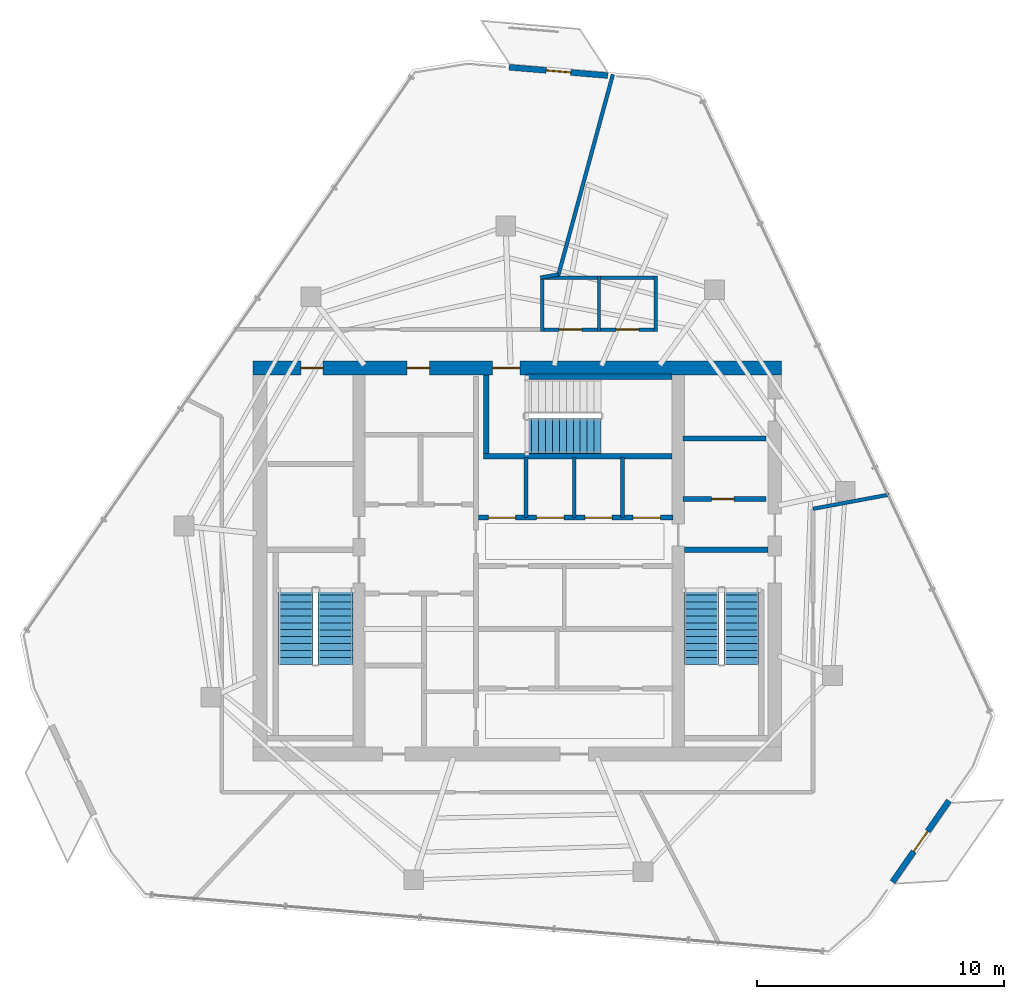
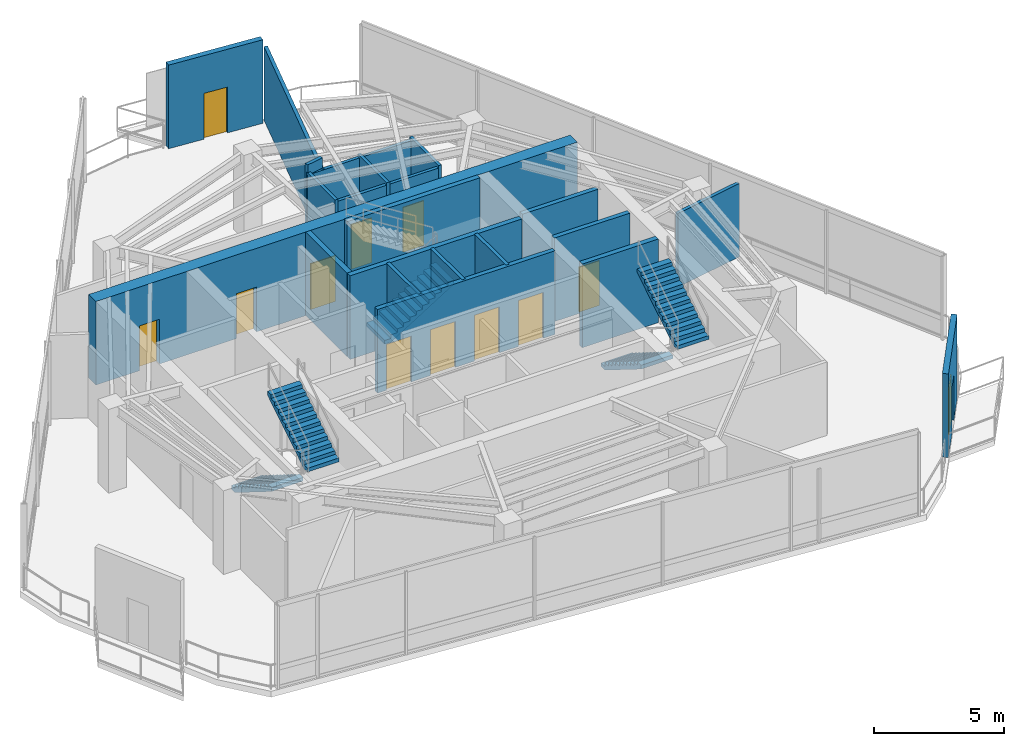
# One storey, part 16 of 19: 23 walls, 12 doors, 5 stair flights, 12 openings, 3 elements without a shape of their own.
"""IFC4 building model written with IfcOpenShell, lengths in metres."""

from ifc_helpers import new_model, si_unit, direction, frame, frame_2d, origin, place, context, subcontext, project, spatial, polyline, rectangle, outline, extrude, material, layer, layer_set, type_object, element, fill, aggregate, save


model = new_model("IFC4")

# Units and contexts
model_context = context("Model", 3, precision=1e-05, world=origin(), true_north=direction((0.0, 1.0)))
body_context = subcontext(model_context, "Body", "Model", "MODEL_VIEW")
ifc_project = project(units=[si_unit("LENGTHUNIT", "METRE"), si_unit("AREAUNIT", "SQUARE_METRE"), si_unit("VOLUMEUNIT", "CUBIC_METRE"), si_unit("PLANEANGLEUNIT", "RADIAN"), si_unit("MASSUNIT", "GRAM", prefix="KILO")], contexts=[model_context])

# Site, building, storey
site_placement = place(None, origin())
site = spatial("IfcSite", under=ifc_project, at=site_placement, CompositionType="ELEMENT")
building_placement = place(site_placement, origin())
building = spatial("IfcBuilding", under=site, at=building_placement, Name="Qarnah Convention Tower", CompositionType="ELEMENT")
storey_placement = place(building_placement, frame((0.0, 0.0, 275.10009765625)))
storey = spatial("IfcBuildingStorey", under=building, at=storey_placement, Name="L74", CompositionType="ELEMENT", Elevation=275.10009765625)

# Wall, openings, doors
ifc_material_1 = material(Name="Concrete C60/75", Category="concrete")
ifc_layer_1 = layer(ifc_material_1, 0.550048828125)
ifc_layer_set_1 = layer_set([ifc_layer_1], Name="Concrete C60/75")
wall_type_1 = type_object("IfcWallType", Name="WL-CORE-550", PredefinedType="SHEAR", material=ifc_layer_set_1)
wall_1_placement = place(storey_placement, frame((26.52490234375, 34.199951171875, 0.0), z_axis=(0.0, 0.0, 1.0), x_axis=(1.0, 0.0, 0.0)))
wall_1 = element("IfcWall", 1, at=wall_1_placement, inside=storey, type_object=wall_type_1, Name="L74 core north shear wall", PredefinedType="SHEAR", context=body_context, shape_type="SweptSolid", body=[
    extrude(rectangle(XDim=21.35009765625, YDim=0.550048828125, at=frame_2d((10.675048828125, 0.0))), origin(), (0.0, 0.0, 1.0), 3.919921875),
])
opening_1_placement = place(wall_1_placement, frame((9.675048828125, 0.0, 0.0)))
opening_1 = element("IfcOpeningElement", 2, at=opening_1_placement, cuts=wall_1, Name="Opening D-7403", PredefinedType="OPENING", context=body_context, shape_type="SweptSolid", body=[
    extrude(rectangle(XDim=1.10009765625, YDim=2.14990234375, at=frame_2d((0.550048828125, 1.074951171875))), frame((0.0, 0.284912109375, 0.0), z_axis=(0.0, -1.0, 0.0), x_axis=(1.0, 0.0, 0.0)), (0.0, 0.0, 1.0), 0.570068359375),
])
opening_2_placement = place(wall_1_placement, frame((1.925048828125, 0.0, 0.0)))
opening_2 = element("IfcOpeningElement", 3, at=opening_2_placement, cuts=wall_1, Name="Opening D-7409", PredefinedType="OPENING", context=body_context, shape_type="SweptSolid", body=[
    extrude(rectangle(XDim=0.89990234375, YDim=2.10009765625, at=frame_2d((0.449951171875, 1.050048828125))), frame((0.0, 0.284912109375, 0.0), z_axis=(0.0, -1.0, 0.0), x_axis=(1.0, 0.0, 0.0)), (0.0, 0.0, 1.0), 0.570068359375),
])
opening_3_placement = place(wall_1_placement, frame((6.22509765625, 0.0, 0.0)))
opening_3 = element("IfcOpeningElement", 4, at=opening_3_placement, cuts=wall_1, Name="Opening D-7410", PredefinedType="OPENING", context=body_context, shape_type="SweptSolid", body=[
    extrude(rectangle(XDim=0.89990234375, YDim=2.10009765625, at=frame_2d((0.449951171875, 1.050048828125))), frame((0.0, 0.284912109375, 0.0), z_axis=(0.0, -1.0, 0.0), x_axis=(1.0, 0.0, 0.0)), (0.0, 0.0, 1.0), 0.570068359375),
])
ifc_material_2 = material(Name="Structural steel S355JR", Category="steel")
door_type_1 = type_object("IfcDoorType", Name="DT-RISER-900", OperationType="NOTDEFINED", PredefinedType="DOOR", material=ifc_material_2)
door_1_placement = place(opening_2_placement, origin())
door_1 = element("IfcDoor", 5, at=door_1_placement, inside=storey, type_object=door_type_1, Name="Door D-7409", OperationType="SINGLE_SWING_LEFT", OverallHeight=2.10009765625, OverallWidth=0.89990234375, PredefinedType="DOOR", context=body_context, shape_type="SweptSolid", body=[
    extrude(rectangle(XDim=0.89990234375, YDim=2.10009765625, at=frame_2d((0.449951171875, 1.050048828125))), frame((0.0, 0.02490234375, 0.0), z_axis=(0.0, -1.0, 0.0), x_axis=(1.0, 0.0, 0.0)), (0.0, 0.0, 1.0), 0.050048828125),
])
fill(opening_2, door_1)
door_2_placement = place(opening_3_placement, origin())
door_2 = element("IfcDoor", 6, at=door_2_placement, inside=storey, type_object=door_type_1, Name="Door D-7410", OperationType="SINGLE_SWING_RIGHT", OverallHeight=2.10009765625, OverallWidth=0.89990234375, PredefinedType="DOOR", context=body_context, shape_type="SweptSolid", body=[
    extrude(rectangle(XDim=0.89990234375, YDim=2.10009765625, at=frame_2d((0.449951171875, 1.050048828125))), frame((0.0, 0.02490234375, 0.0), z_axis=(0.0, -1.0, 0.0), x_axis=(1.0, 0.0, 0.0)), (0.0, 0.0, 1.0), 0.050048828125),
])
fill(opening_3, door_2)
door_type_2 = type_object("IfcDoorType", Name="DT-STAIR-1100", OperationType="NOTDEFINED", PredefinedType="DOOR", material=ifc_material_2)
door_3_placement = place(opening_1_placement, origin())
door_3 = element("IfcDoor", 7, at=door_3_placement, inside=storey, type_object=door_type_2, Name="Door D-7403", OperationType="SINGLE_SWING_LEFT", OverallHeight=2.14990234375, OverallWidth=1.10009765625, PredefinedType="DOOR", context=body_context, shape_type="SweptSolid", body=[
    extrude(rectangle(XDim=1.10009765625, YDim=2.14990234375, at=frame_2d((0.550048828125, 1.074951171875))), frame((0.0, 0.02490234375, 0.0), z_axis=(0.0, -1.0, 0.0), x_axis=(1.0, 0.0, 0.0)), (0.0, 0.0, 1.0), 0.050048828125),
])
fill(opening_1, door_3)

# Wall, opening, door
ifc_material_3 = material(Name="Concrete C45/55", Category="concrete")
ifc_layer_2 = layer(ifc_material_3, 0.199951171875)
ifc_layer_set_2 = layer_set([ifc_layer_2], Name="Concrete C45/55")
wall_type_2 = type_object("IfcWallType", Name="WL-CORE-PART-200", PredefinedType="SOLIDWALL", material=ifc_layer_set_2)
wall_2_placement = place(storey_placement, frame((43.89990234375, 28.89990234375, 0.0), z_axis=(0.0, 0.0, 1.0), x_axis=(1.0, 0.0, 0.0)))
wall_2 = element("IfcWall", 8, at=wall_2_placement, inside=storey, type_object=wall_type_2, Name="L74 interior wall IW-L74-EVSTN", PredefinedType="SOLIDWALL", context=body_context, shape_type="SweptSolid", body=[
    extrude(rectangle(XDim=3.35009765625, YDim=0.199951171875, at=frame_2d((1.675048828125, 0.0))), origin(), (0.0, 0.0, 1.0), 3.919921875),
])
opening_4_placement = place(wall_2_placement, frame((1.14990234375, 0.0, 0.0)))
opening_4 = element("IfcOpeningElement", 9, at=opening_4_placement, cuts=wall_2, Name="Opening D-7411", PredefinedType="OPENING", context=body_context, shape_type="SweptSolid", body=[
    extrude(rectangle(XDim=0.89990234375, YDim=2.10009765625, at=frame_2d((0.449951171875, 1.050048828125))), frame((0.0, 0.10986328125, 0.0), z_axis=(0.0, -1.0, 0.0), x_axis=(1.0, 0.0, 0.0)), (0.0, 0.0, 1.0), 0.219970703125),
])
door_4_placement = place(opening_4_placement, origin())
door_4 = element("IfcDoor", 10, at=door_4_placement, inside=storey, type_object=door_type_1, Name="Door D-7411", OperationType="SINGLE_SWING_LEFT", OverallHeight=2.10009765625, OverallWidth=0.89990234375, PredefinedType="DOOR", context=body_context, shape_type="SweptSolid", body=[
    extrude(rectangle(XDim=0.89990234375, YDim=2.10009765625, at=frame_2d((0.449951171875, 1.050048828125))), frame((0.0, 0.02490234375, 0.0), z_axis=(0.0, -1.0, 0.0), x_axis=(1.0, 0.0, 0.0)), (0.0, 0.0, 1.0), 0.050048828125),
])
fill(opening_4, door_4)

# Wall
wall_3_placement = place(storey_placement, frame((43.89990234375, 31.35009765625, 0.0), z_axis=(0.0, 0.0, 1.0), x_axis=(1.0, 0.0, 0.0)))
element("IfcWall", 11, at=wall_3_placement, inside=storey, type_object=wall_type_2, Name="L74 interior wall IW-L74-WTRN", PredefinedType="SOLIDWALL", context=body_context, shape_type="SweptSolid", body=[
    extrude(rectangle(XDim=3.35009765625, YDim=0.199951171875, at=frame_2d((1.675048828125, 0.0))), origin(), (0.0, 0.0, 1.0), 3.548828125),
])

# Wall, openings, doors
wall_4_placement = place(storey_placement, frame((35.6201171875, 28.14990234375, 0.0), z_axis=(0.0, 0.0, 1.0), x_axis=(1.0, 0.0, 0.0)))
wall_4 = element("IfcWall", 12, at=wall_4_placement, inside=storey, type_object=wall_type_2, Name="L74 interior wall IW-L74-PHS", PredefinedType="SOLIDWALL", context=body_context, shape_type="SweptSolid", body=[
    extrude(rectangle(XDim=7.8798828125, YDim=0.199951171875, at=frame_2d((3.93994140625, 0.0))), origin(), (0.0, 0.0, 1.0), 3.919921875),
])
opening_5_placement = place(wall_4_placement, frame((0.405029296875, 0.0, 0.0)))
opening_5 = element("IfcOpeningElement", 13, at=opening_5_placement, cuts=wall_4, Name="Opening LD-7404", PredefinedType="OPENING", context=body_context, shape_type="SweptSolid", body=[
    extrude(rectangle(XDim=1.10009765625, YDim=2.14990234375, at=frame_2d((0.550048828125, 1.074951171875))), frame((0.0, 0.10986328125, 0.0), z_axis=(0.0, -1.0, 0.0), x_axis=(1.0, 0.0, 0.0)), (0.0, 0.0, 1.0), 0.219970703125),
])
opening_6_placement = place(wall_4_placement, frame((2.35498046875, 0.0, 0.0)))
opening_6 = element("IfcOpeningElement", 14, at=opening_6_placement, cuts=wall_4, Name="Opening LD-7405", PredefinedType="OPENING", context=body_context, shape_type="SweptSolid", body=[
    extrude(rectangle(XDim=1.10009765625, YDim=2.14990234375, at=frame_2d((0.550048828125, 1.074951171875))), frame((0.0, 0.10986328125, 0.0), z_axis=(0.0, -1.0, 0.0), x_axis=(1.0, 0.0, 0.0)), (0.0, 0.0, 1.0), 0.219970703125),
])
opening_7_placement = place(wall_4_placement, frame((4.304931640625, 0.0, 0.0)))
opening_7 = element("IfcOpeningElement", 15, at=opening_7_placement, cuts=wall_4, Name="Opening LD-7406", PredefinedType="OPENING", context=body_context, shape_type="SweptSolid", body=[
    extrude(rectangle(XDim=1.10009765625, YDim=2.14990234375, at=frame_2d((0.550048828125, 1.074951171875))), frame((0.0, 0.10986328125, 0.0), z_axis=(0.0, -1.0, 0.0), x_axis=(1.0, 0.0, 0.0)), (0.0, 0.0, 1.0), 0.219970703125),
])
opening_8_placement = place(wall_4_placement, frame((6.2548828125, 0.0, 0.0)))
opening_8 = element("IfcOpeningElement", 16, at=opening_8_placement, cuts=wall_4, Name="Opening LD-7407", PredefinedType="OPENING", context=body_context, shape_type="SweptSolid", body=[
    extrude(rectangle(XDim=1.10009765625, YDim=2.14990234375, at=frame_2d((0.550048828125, 1.074951171875))), frame((0.0, 0.10986328125, 0.0), z_axis=(0.0, -1.0, 0.0), x_axis=(1.0, 0.0, 0.0)), (0.0, 0.0, 1.0), 0.219970703125),
])
door_type_3 = type_object("IfcDoorType", Name="DT-LIFT-1100", OperationType="SLIDING_TO_LEFT", PredefinedType="DOOR", material=ifc_material_2)
door_5_placement = place(opening_5_placement, origin())
door_5 = element("IfcDoor", 17, at=door_5_placement, inside=storey, type_object=door_type_3, Name="Door LD-7404", OperationType="SLIDING_TO_LEFT", OverallHeight=2.14990234375, OverallWidth=1.10009765625, PredefinedType="DOOR", context=body_context, shape_type="SweptSolid", body=[
    extrude(rectangle(XDim=1.10009765625, YDim=2.14990234375, at=frame_2d((0.550048828125, 1.074951171875))), frame((0.0, 0.02490234375, 0.0), z_axis=(0.0, -1.0, 0.0), x_axis=(1.0, 0.0, 0.0)), (0.0, 0.0, 1.0), 0.050048828125),
])
fill(opening_5, door_5)
door_6_placement = place(opening_6_placement, origin())
door_6 = element("IfcDoor", 18, at=door_6_placement, inside=storey, type_object=door_type_3, Name="Door LD-7405", OperationType="SLIDING_TO_LEFT", OverallHeight=2.14990234375, OverallWidth=1.10009765625, PredefinedType="DOOR", context=body_context, shape_type="SweptSolid", body=[
    extrude(rectangle(XDim=1.10009765625, YDim=2.14990234375, at=frame_2d((0.550048828125, 1.074951171875))), frame((0.0, 0.02490234375, 0.0), z_axis=(0.0, -1.0, 0.0), x_axis=(1.0, 0.0, 0.0)), (0.0, 0.0, 1.0), 0.050048828125),
])
fill(opening_6, door_6)
door_7_placement = place(opening_7_placement, origin())
door_7 = element("IfcDoor", 19, at=door_7_placement, inside=storey, type_object=door_type_3, Name="Door LD-7406", OperationType="SLIDING_TO_LEFT", OverallHeight=2.14990234375, OverallWidth=1.10009765625, PredefinedType="DOOR", context=body_context, shape_type="SweptSolid", body=[
    extrude(rectangle(XDim=1.10009765625, YDim=2.14990234375, at=frame_2d((0.550048828125, 1.074951171875))), frame((0.0, 0.02490234375, 0.0), z_axis=(0.0, -1.0, 0.0), x_axis=(1.0, 0.0, 0.0)), (0.0, 0.0, 1.0), 0.050048828125),
])
fill(opening_7, door_7)
door_8_placement = place(opening_8_placement, origin())
door_8 = element("IfcDoor", 20, at=door_8_placement, inside=storey, type_object=door_type_3, Name="Door LD-7407", OperationType="SLIDING_TO_LEFT", OverallHeight=2.14990234375, OverallWidth=1.10009765625, PredefinedType="DOOR", context=body_context, shape_type="SweptSolid", body=[
    extrude(rectangle(XDim=1.10009765625, YDim=2.14990234375, at=frame_2d((0.550048828125, 1.074951171875))), frame((0.0, 0.02490234375, 0.0), z_axis=(0.0, -1.0, 0.0), x_axis=(1.0, 0.0, 0.0)), (0.0, 0.0, 1.0), 0.050048828125),
])
fill(opening_8, door_8)

# Walls
ifc_layer_3 = layer(ifc_material_1, 0.219970703125)
ifc_layer_set_3 = layer_set([ifc_layer_3], Name="Concrete C60/75")
wall_type_3 = type_object("IfcWallType", Name="WL-CORE-STAIR-220", PredefinedType="SHEAR", material=ifc_layer_set_3)
wall_5_placement = place(storey_placement, frame((43.949951171875, 26.860107421875, 0.0), z_axis=(0.0, 0.0, 1.0), x_axis=(1.0, 0.0, 0.0)))
element("IfcWall", 21, at=wall_5_placement, inside=storey, type_object=wall_type_3, Name="L74 stair shaft shear wall SW-L74-ST2N", PredefinedType="SHEAR", context=body_context, shape_type="SweptSolid", body=[
    extrude(rectangle(XDim=3.375, YDim=0.219970703125, at=frame_2d((1.6875, 0.0))), origin(), (0.0, 0.0, 1.0), 3.919921875),
])
wall_6_placement = place(storey_placement, frame((35.840087890625, 30.639892578125, 0.0), z_axis=(0.0, 0.0, 1.0), x_axis=(1.0, 0.0, 0.0)))
element("IfcWall", 22, at=wall_6_placement, inside=storey, type_object=wall_type_3, Name="L74 stair shaft shear wall SW-L74-ST3S", PredefinedType="SHEAR", context=body_context, shape_type="SweptSolid", body=[
    extrude(rectangle(XDim=7.60986328125, YDim=0.219970703125, at=frame_2d((3.804931640625, 0.0))), origin(), (0.0, 0.0, 1.0), 3.919921875),
])
wall_7_placement = place(storey_placement, frame((35.93994140625, 30.75, 0.0), z_axis=(0.0, 0.0, 1.0), x_axis=(0.0, 1.0, 0.0)))
element("IfcWall", 23, at=wall_7_placement, inside=storey, type_object=wall_type_3, Name="L74 stair shaft shear wall SW-L74-ST3W", PredefinedType="SHEAR", context=body_context, shape_type="SweptSolid", body=[
    extrude(rectangle(XDim=3.175048828125, YDim=0.219970703125, at=frame_2d((1.58740234375, 0.0))), origin(), (0.0, 0.0, 1.0), 3.919921875),
])
wall_8_placement = place(storey_placement, frame((37.550048828125, 33.840087890625, 0.0), z_axis=(0.0, 0.0, 1.0), x_axis=(1.0, 0.0, 0.0)))
element("IfcWall", 24, at=wall_8_placement, inside=storey, type_object=wall_type_3, Name="L74 stair shaft shear wall SW-L74-ST3N", PredefinedType="SHEAR", context=body_context, shape_type="SweptSolid", body=[
    extrude(rectangle(XDim=5.89990234375, YDim=0.219970703125, at=frame_2d((2.949951171875, 0.0))), origin(), (0.0, 0.0, 1.0), 3.919921875),
])

# Wall, opening, door
ifc_material_4 = material(Name="Precast concrete C45/55", Category="concrete")
ifc_layer_4 = layer(ifc_material_4, 0.239990234375)
ifc_layer_set_4 = layer_set([ifc_layer_4], Name="Precast concrete C45/55")
wall_type_4 = type_object("IfcWallType", Name="WL-EXT-BAL-240", PredefinedType="SOLIDWALL", material=ifc_layer_set_4)
wall_9_placement = place(storey_placement, frame((36.867919921875, 46.35205078125, 0.0), z_axis=(0.0, 0.0, 1.0), x_axis=(0.996487852209, -0.083737449209, 0.0)))
wall_9 = element("IfcWall", 25, at=wall_9_placement, inside=storey, type_object=wall_type_4, Name="L74 loggia threshold wall BAL-L74-C1", PredefinedType="SOLIDWALL", context=body_context, shape_type="SweptSolid", body=[
    extrude(rectangle(XDim=4.000244140625, YDim=0.239990234375, at=frame_2d((2.0, 0.0))), origin(), (0.0, 0.0, 1.0), 3.919921875),
])
opening_9_placement = place(wall_9_placement, frame((1.5, 0.0, 0.0)))
opening_9 = element("IfcOpeningElement", 26, at=opening_9_placement, cuts=wall_9, Name="Opening BD-7401", PredefinedType="OPENING", context=body_context, shape_type="SweptSolid", body=[
    extrude(rectangle(XDim=1.0, YDim=2.14990234375, at=frame_2d((0.5, 1.074951171875))), frame((0.0, 0.1298828125, 0.0), z_axis=(0.0, -1.0, 0.0), x_axis=(1.0, 0.0, 0.0)), (0.0, 0.0, 1.0), 0.260009765625),
])
ifc_material_5 = material(Name="Black anodised aluminium", Category="aluminium")
door_type_4 = type_object("IfcDoorType", Name="DT-BAL-1000", OperationType="NOTDEFINED", PredefinedType="DOOR", material=ifc_material_5)
door_9_placement = place(opening_9_placement, origin())
door_9 = element("IfcDoor", 27, at=door_9_placement, inside=storey, type_object=door_type_4, Name="L74 balcony terrace door BAL-L74-C1", OperationType="SINGLE_SWING_LEFT", OverallHeight=2.14990234375, OverallWidth=1.0, PredefinedType="DOOR", context=body_context, shape_type="SweptSolid", body=[
    extrude(rectangle(XDim=1.0, YDim=2.14990234375, at=frame_2d((0.5, 1.074951171875))), frame((0.0, 0.02490234375, 0.0), z_axis=(0.0, -1.0, 0.0), x_axis=(1.0, 0.0, 0.0)), (0.0, 0.0, 1.0), 0.050048828125),
])
fill(opening_9, door_9)

wall_10_placement = place(storey_placement, frame((54.64404296875, 16.7109375, 0.0), z_axis=(0.0, 0.0, 1.0), x_axis=(-0.570644055542, -0.821197516968, 0.0)))
wall_10 = element("IfcWall", 28, at=wall_10_placement, inside=storey, type_object=wall_type_4, Name="L74 loggia threshold wall BAL-L74-C3", PredefinedType="SOLIDWALL", context=body_context, shape_type="SweptSolid", body=[
    extrude(rectangle(XDim=3.9990234375, YDim=0.239990234375, at=frame_2d((1.99951171875, 0.0))), origin(), (0.0, 0.0, 1.0), 3.919921875),
])
opening_10_placement = place(wall_10_placement, frame((1.5, 0.0, 0.0)))
opening_10 = element("IfcOpeningElement", 29, at=opening_10_placement, cuts=wall_10, Name="Opening BD-7403", PredefinedType="OPENING", context=body_context, shape_type="SweptSolid", body=[
    extrude(rectangle(XDim=1.0, YDim=2.14990234375, at=frame_2d((0.5, 1.074951171875))), frame((0.0, 0.1298828125, 0.0), z_axis=(0.0, -1.0, 0.0), x_axis=(1.0, 0.0, 0.0)), (0.0, 0.0, 1.0), 0.260009765625),
])
door_10_placement = place(opening_10_placement, origin())
door_10 = element("IfcDoor", 30, at=door_10_placement, inside=storey, type_object=door_type_4, Name="L74 balcony terrace door BAL-L74-C3", OperationType="SINGLE_SWING_LEFT", OverallHeight=2.14990234375, OverallWidth=1.0, PredefinedType="DOOR", context=body_context, shape_type="SweptSolid", body=[
    extrude(rectangle(XDim=1.0, YDim=2.14990234375, at=frame_2d((0.5, 1.074951171875))), frame((0.0, 0.02490234375, 0.0), z_axis=(0.0, -1.0, 0.0), x_axis=(1.0, 0.0, 0.0)), (0.0, 0.0, 1.0), 0.050048828125),
])
fill(opening_10, door_10)

# Walls
ifc_material_6 = material(Name="Gypsum partition board")
ifc_layer_5 = layer(ifc_material_6, 0.14990234375)
ifc_layer_set_5 = layer_set([ifc_layer_5], Name="Gypsum partition board")
wall_type_5 = type_object("IfcWallType", Name="WL-SUITE-150", PredefinedType="PARTITIONING", material=ifc_layer_set_5)
for number, where, z_axis, x_axis, name in (
    (31, (37.550048828125, 28.14990234375, 0.0), (0.0, 0.0, 1.0), (0.0, 1.0, 0.0), "L74 interior wall IW-L74-PHD1"),
    (32, (39.5, 28.14990234375, 0.0), (0.0, 0.0, 1.0), (0.0, 1.0, 0.0), "L74 interior wall IW-L74-PHD2"),
    (33, (41.449951171875, 28.14990234375, 0.0), (0.0, 0.0, 1.0), (0.0, 1.0, 0.0), "L74 interior wall IW-L74-PHD3"),
):
    element("IfcWall", number, at=place(storey_placement, frame(where, z_axis=z_axis, x_axis=x_axis)), inside=storey, type_object=wall_type_5, Name=name, PredefinedType="PARTITIONING", context=body_context, shape_type="SweptSolid", body=[
        extrude(rectangle(XDim=2.43017578125, YDim=0.14990234375, at=frame_2d((1.215087890625, 0.0))), origin(), (0.0, 0.0, 1.0), 3.919921875),
    ])
wall_11_placement = place(storey_placement, frame((38.8291015625, 37.85009765625, 0.0), z_axis=(0.0, 0.0, 1.0), x_axis=(0.262306419942, 0.964984633068, 0.0)))
element("IfcWall", 34, at=wall_11_placement, inside=storey, type_object=wall_type_5, Name="L74 interior wall IW-L74-R-08", PredefinedType="PARTITIONING", context=body_context, shape_type="SweptSolid", body=[
    extrude(rectangle(XDim=8.5087890625, YDim=0.14990234375, at=frame_2d((4.25439453125, 0.0))), origin(), (0.0, 0.0, 1.0), 3.44482421875),
])
wall_12_placement = place(storey_placement, frame((38.1298828125, 37.85009765625, 0.0), z_axis=(0.0, 0.0, 1.0), x_axis=(0.984707641081, 0.174214986716, 0.0)))
element("IfcWall", 35, at=wall_12_placement, inside=storey, type_object=wall_type_5, Name="L74 interior wall IW-L74-R-10", PredefinedType="PARTITIONING", context=body_context, shape_type="SweptSolid", body=[
    extrude(rectangle(XDim=0.74560546875, YDim=0.14990234375, at=frame_2d((0.372802734375, 0.0))), origin(), (0.0, 0.0, 1.0), 3.919921875),
])
wall_13_placement = place(storey_placement, frame((52.220947265625, 29.080078125, 0.0), z_axis=(0.0, 0.0, 1.0), x_axis=(-0.983035469724, -0.183415553497, 0.0)))
element("IfcWall", 36, at=wall_13_placement, inside=storey, type_object=wall_type_5, Name="L74 interior wall IW-L74-R-17", PredefinedType="PARTITIONING", context=body_context, shape_type="SweptSolid", body=[
    extrude(rectangle(XDim=3.1240234375, YDim=0.14990234375, at=frame_2d((1.56201171875, 0.0))), origin(), (0.0, 0.0, 1.0), 3.44482421875),
])

# Wall, opening, door
ifc_layer_6 = layer(ifc_material_6, 0.139892578125)
ifc_layer_set_6 = layer_set([ifc_layer_6], Name="Gypsum partition board")
wall_type_6 = type_object("IfcWallType", Name="WL-WET-140", PredefinedType="PARTITIONING", material=ifc_layer_set_6)
wall_14_placement = place(storey_placement, frame((38.1298828125, 35.75, 0.0), z_axis=(0.0, 0.0, 1.0), x_axis=(1.0, 0.0, 0.0)))
wall_14 = element("IfcWall", 37, at=wall_14_placement, inside=storey, type_object=wall_type_6, Name="L74 interior wall IW-L74-WCM-1", PredefinedType="PARTITIONING", context=body_context, shape_type="SweptSolid", body=[
    extrude(rectangle(XDim=2.440185546875, YDim=0.139892578125, at=frame_2d((1.22021484375, 0.0))), origin(), (0.0, 0.0, 1.0), 3.44091796875),
])
opening_11_placement = place(wall_14_placement, frame((0.760009765625, 0.0, 0.0)))
opening_11 = element("IfcOpeningElement", 38, at=opening_11_placement, cuts=wall_14, Name="Opening D-7420", PredefinedType="OPENING", context=body_context, shape_type="SweptSolid", body=[
    extrude(rectangle(XDim=0.919921875, YDim=2.10009765625, at=frame_2d((0.4599609375, 1.050048828125))), frame((0.0, 0.079833984375, 0.0), z_axis=(0.0, -1.0, 0.0), x_axis=(1.0, 0.0, 0.0)), (0.0, 0.0, 1.0), 0.159912109375),
])
ifc_material_7 = material(Name="Oak timber veneer", Category="wood")
door_type_5 = type_object("IfcDoorType", Name="DT-WC-920", OperationType="NOTDEFINED", PredefinedType="DOOR", material=ifc_material_7)
door_11_placement = place(opening_11_placement, origin())
door_11 = element("IfcDoor", 39, at=door_11_placement, inside=storey, type_object=door_type_5, Name="Door D-7420", OperationType="SINGLE_SWING_RIGHT", OverallHeight=2.10009765625, OverallWidth=0.919921875, PredefinedType="DOOR", context=body_context, shape_type="SweptSolid", body=[
    extrude(rectangle(XDim=0.919921875, YDim=2.10009765625, at=frame_2d((0.4599609375, 1.050048828125))), frame((0.0, 0.02490234375, 0.0), z_axis=(0.0, -1.0, 0.0), x_axis=(1.0, 0.0, 0.0)), (0.0, 0.0, 1.0), 0.050048828125),
])
fill(opening_11, door_11)

# Walls
wall_15_placement = place(storey_placement, frame((40.5, 35.679931640625, 0.0), z_axis=(0.0, 0.0, 1.0), x_axis=(0.0, 1.0, 0.0)))
element("IfcWall", 40, at=wall_15_placement, inside=storey, type_object=wall_type_6, Name="L74 interior wall IW-L74-WCM-2", PredefinedType="PARTITIONING", context=body_context, shape_type="SweptSolid", body=[
    extrude(rectangle(XDim=2.239990234375, YDim=0.139892578125, at=frame_2d((1.1201171875, 0.0))), origin(), (0.0, 0.0, 1.0), 3.548828125),
])
wall_16_placement = place(storey_placement, frame((40.570068359375, 37.85009765625, 0.0), z_axis=(0.0, 0.0, 1.0), x_axis=(-1.0, 0.0, 0.0)))
element("IfcWall", 41, at=wall_16_placement, inside=storey, type_object=wall_type_6, Name="L74 interior wall IW-L74-WCM-3", PredefinedType="PARTITIONING", context=body_context, shape_type="SweptSolid", body=[
    extrude(rectangle(XDim=2.440185546875, YDim=0.139892578125, at=frame_2d((1.22021484375, 0.0))), origin(), (0.0, 0.0, 1.0), 3.44091796875),
])
wall_17_placement = place(storey_placement, frame((38.199951171875, 37.919921875, 0.0), z_axis=(0.0, 0.0, 1.0), x_axis=(0.0, -1.0, 0.0)))
element("IfcWall", 42, at=wall_17_placement, inside=storey, type_object=wall_type_6, Name="L74 interior wall IW-L74-WCM-4", PredefinedType="PARTITIONING", context=body_context, shape_type="SweptSolid", body=[
    extrude(rectangle(XDim=2.239990234375, YDim=0.139892578125, at=frame_2d((1.1201171875, 0.0))), origin(), (0.0, 0.0, 1.0), 3.548828125),
])

# Wall, opening, door
wall_18_placement = place(storey_placement, frame((40.429931640625, 35.75, 0.0), z_axis=(0.0, 0.0, 1.0), x_axis=(1.0, 0.0, 0.0)))
wall_18 = element("IfcWall", 43, at=wall_18_placement, inside=storey, type_object=wall_type_6, Name="L74 interior wall IW-L74-WCF-1", PredefinedType="PARTITIONING", context=body_context, shape_type="SweptSolid", body=[
    extrude(rectangle(XDim=2.440185546875, YDim=0.139892578125, at=frame_2d((1.22021484375, 0.0))), origin(), (0.0, 0.0, 1.0), 3.44091796875),
])
opening_12_placement = place(wall_18_placement, frame((0.760009765625, 0.0, 0.0)))
opening_12 = element("IfcOpeningElement", 44, at=opening_12_placement, cuts=wall_18, Name="Opening D-7421", PredefinedType="OPENING", context=body_context, shape_type="SweptSolid", body=[
    extrude(rectangle(XDim=0.919921875, YDim=2.10009765625, at=frame_2d((0.4599609375, 1.050048828125))), frame((0.0, 0.079833984375, 0.0), z_axis=(0.0, -1.0, 0.0), x_axis=(1.0, 0.0, 0.0)), (0.0, 0.0, 1.0), 0.159912109375),
])
door_12_placement = place(opening_12_placement, origin())
door_12 = element("IfcDoor", 45, at=door_12_placement, inside=storey, type_object=door_type_5, Name="Door D-7421", OperationType="SINGLE_SWING_LEFT", OverallHeight=2.10009765625, OverallWidth=0.919921875, PredefinedType="DOOR", context=body_context, shape_type="SweptSolid", body=[
    extrude(rectangle(XDim=0.919921875, YDim=2.10009765625, at=frame_2d((0.4599609375, 1.050048828125))), frame((0.0, 0.02490234375, 0.0), z_axis=(0.0, -1.0, 0.0), x_axis=(1.0, 0.0, 0.0)), (0.0, 0.0, 1.0), 0.050048828125),
])
fill(opening_12, door_12)

# Walls
wall_19_placement = place(storey_placement, frame((42.800048828125, 35.679931640625, 0.0), z_axis=(0.0, 0.0, 1.0), x_axis=(0.0, 1.0, 0.0)))
element("IfcWall", 46, at=wall_19_placement, inside=storey, type_object=wall_type_6, Name="L74 interior wall IW-L74-WCF-2", PredefinedType="PARTITIONING", context=body_context, shape_type="SweptSolid", body=[
    extrude(rectangle(XDim=2.239990234375, YDim=0.139892578125, at=frame_2d((1.1201171875, 0.0))), origin(), (0.0, 0.0, 1.0), 3.548828125),
])
wall_20_placement = place(storey_placement, frame((42.8701171875, 37.85009765625, 0.0), z_axis=(0.0, 0.0, 1.0), x_axis=(-1.0, 0.0, 0.0)))
element("IfcWall", 47, at=wall_20_placement, inside=storey, type_object=wall_type_6, Name="L74 interior wall IW-L74-WCF-3", PredefinedType="PARTITIONING", context=body_context, shape_type="SweptSolid", body=[
    extrude(rectangle(XDim=2.440185546875, YDim=0.139892578125, at=frame_2d((1.22021484375, 0.0))), origin(), (0.0, 0.0, 1.0), 3.44091796875),
])

# Stair, stair flights
ifc_material_8 = material(Name="Concrete C50/60", Category="concrete")
stair_type = type_object("IfcStairType", Name="STR-SUM", PredefinedType="HALF_TURN_STAIR", material=ifc_material_8)
stair_1_placement = place(storey_placement, origin())
stair_1 = element("IfcStair", 48, at=stair_1_placement, inside=storey, type_object=stair_type, Name="L74 Core exit stair ST-1", PredefinedType="HALF_TURN_STAIR")
stair_flight_type = type_object("IfcStairFlightType", Name="FLT-SUM", PredefinedType="STRAIGHT", material=ifc_material_8)
stair_flight_1_placement = place(storey_placement, frame((28.25, 25.300048828125, 0.0), z_axis=(0.0, 0.0, 1.0), x_axis=(0.0, -1.0, 0.0)))
stair_flight_1 = element("IfcStairFlight", 49, at=stair_flight_1_placement, type_object=stair_flight_type, Name="ST-1 flight 1", NumberOfRisers=12, NumberOfTreads=11, PredefinedType="STRAIGHT", RiserHeight=0.175, TreadLength=0.28, context=body_context, shape_type="SweptSolid", body=[
    extrude(outline(polyline([(0.0, 0.0), (0.0, 0.175048828125), (0.280029296875, 0.175048828125), (0.280029296875, 0.35009765625), (0.56005859375, 0.35009765625), (0.56005859375, 0.52490234375), (0.840087890625, 0.52490234375), (0.840087890625, 0.699951171875), (1.1201171875, 0.699951171875), (1.1201171875, 0.875), (1.39990234375, 0.875), (1.39990234375, 1.050048828125), (1.679931640625, 1.050048828125), (1.679931640625, 1.22509765625), (1.9599609375, 1.22509765625), (1.9599609375, 1.39990234375), (2.239990234375, 1.39990234375), (2.239990234375, 1.574951171875), (2.52001953125, 1.574951171875), (2.52001953125, 1.75), (2.800048828125, 1.75), (2.800048828125, 1.925048828125), (3.080078125, 1.925048828125), (3.080078125, 2.10009765625), (3.080078125, 1.748291015625), (0.28271484375, 0.0), (0.0, 0.0)])), frame((0.0, 0.699951171875, 0.0), z_axis=(0.0, -1.0, 0.0), x_axis=(1.0, 0.0, 0.0)), (0.0, 0.0, 1.0), 1.39990234375),
])
stair_flight_2_placement = place(storey_placement, frame((29.85009765625, 22.219970703125, 2.099853515625), z_axis=(0.0, 0.0, 1.0), x_axis=(0.0, 1.0, 0.0)))
stair_flight_2 = element("IfcStairFlight", 50, at=stair_flight_2_placement, type_object=stair_flight_type, Name="ST-1 flight 2", NumberOfRisers=12, NumberOfTreads=11, PredefinedType="STRAIGHT", RiserHeight=0.175, TreadLength=0.28, context=body_context, shape_type="SweptSolid", body=[
    extrude(outline(polyline([(0.0, 0.0), (0.0, 0.175048828125), (0.280029296875, 0.175048828125), (0.280029296875, 0.35009765625), (0.56005859375, 0.35009765625), (0.56005859375, 0.52490234375), (0.840087890625, 0.52490234375), (0.840087890625, 0.699951171875), (1.1201171875, 0.699951171875), (1.1201171875, 0.875), (1.39990234375, 0.875), (1.39990234375, 1.050048828125), (1.679931640625, 1.050048828125), (1.679931640625, 1.22509765625), (1.9599609375, 1.22509765625), (1.9599609375, 1.39990234375), (2.239990234375, 1.39990234375), (2.239990234375, 1.574951171875), (2.52001953125, 1.574951171875), (2.52001953125, 1.75), (2.800048828125, 1.75), (2.800048828125, 1.925048828125), (3.080078125, 1.925048828125), (3.080078125, 2.10009765625), (3.080078125, 1.748291015625), (0.28271484375, 0.0), (0.0, 0.0)])), frame((0.0, 0.699951171875, 0.0), z_axis=(0.0, -1.0, 0.0), x_axis=(1.0, 0.0, 0.0)), (0.0, 0.0, 1.0), 1.39990234375),
])
aggregate(stair_1, [stair_flight_1, stair_flight_2])

stair_2_placement = place(storey_placement, origin())
stair_2 = element("IfcStair", 51, at=stair_2_placement, inside=storey, type_object=stair_type, Name="L74 Core exit stair ST-2", PredefinedType="HALF_TURN_STAIR")
stair_flight_3_placement = place(storey_placement, frame((44.64990234375, 25.300048828125, 0.0), z_axis=(0.0, 0.0, 1.0), x_axis=(0.0, -1.0, 0.0)))
stair_flight_3 = element("IfcStairFlight", 52, at=stair_flight_3_placement, type_object=stair_flight_type, Name="ST-2 flight 1", NumberOfRisers=12, NumberOfTreads=11, PredefinedType="STRAIGHT", RiserHeight=0.175, TreadLength=0.28, context=body_context, shape_type="SweptSolid", body=[
    extrude(outline(polyline([(0.0, 0.0), (0.0, 0.175048828125), (0.280029296875, 0.175048828125), (0.280029296875, 0.35009765625), (0.56005859375, 0.35009765625), (0.56005859375, 0.52490234375), (0.840087890625, 0.52490234375), (0.840087890625, 0.699951171875), (1.1201171875, 0.699951171875), (1.1201171875, 0.875), (1.39990234375, 0.875), (1.39990234375, 1.050048828125), (1.679931640625, 1.050048828125), (1.679931640625, 1.22509765625), (1.9599609375, 1.22509765625), (1.9599609375, 1.39990234375), (2.239990234375, 1.39990234375), (2.239990234375, 1.574951171875), (2.52001953125, 1.574951171875), (2.52001953125, 1.75), (2.800048828125, 1.75), (2.800048828125, 1.925048828125), (3.080078125, 1.925048828125), (3.080078125, 2.10009765625), (3.080078125, 1.748291015625), (0.28271484375, 0.0), (0.0, 0.0)])), frame((0.0, 0.699951171875, 0.0), z_axis=(0.0, -1.0, 0.0), x_axis=(1.0, 0.0, 0.0)), (0.0, 0.0, 1.0), 1.39990234375),
])
stair_flight_4_placement = place(storey_placement, frame((46.25, 22.219970703125, 2.099853515625), z_axis=(0.0, 0.0, 1.0), x_axis=(0.0, 1.0, 0.0)))
stair_flight_4 = element("IfcStairFlight", 53, at=stair_flight_4_placement, type_object=stair_flight_type, Name="ST-2 flight 2", NumberOfRisers=12, NumberOfTreads=11, PredefinedType="STRAIGHT", RiserHeight=0.175, TreadLength=0.28, context=body_context, shape_type="SweptSolid", body=[
    extrude(outline(polyline([(0.0, 0.0), (0.0, 0.175048828125), (0.280029296875, 0.175048828125), (0.280029296875, 0.35009765625), (0.56005859375, 0.35009765625), (0.56005859375, 0.52490234375), (0.840087890625, 0.52490234375), (0.840087890625, 0.699951171875), (1.1201171875, 0.699951171875), (1.1201171875, 0.875), (1.39990234375, 0.875), (1.39990234375, 1.050048828125), (1.679931640625, 1.050048828125), (1.679931640625, 1.22509765625), (1.9599609375, 1.22509765625), (1.9599609375, 1.39990234375), (2.239990234375, 1.39990234375), (2.239990234375, 1.574951171875), (2.52001953125, 1.574951171875), (2.52001953125, 1.75), (2.800048828125, 1.75), (2.800048828125, 1.925048828125), (3.080078125, 1.925048828125), (3.080078125, 2.10009765625), (3.080078125, 1.748291015625), (0.28271484375, 0.0), (0.0, 0.0)])), frame((0.0, 0.699951171875, 0.0), z_axis=(0.0, -1.0, 0.0), x_axis=(1.0, 0.0, 0.0)), (0.0, 0.0, 1.0), 1.39990234375),
])
aggregate(stair_2, [stair_flight_3, stair_flight_4])

# Stair, stair flight
stair_3_placement = place(storey_placement, origin())
stair_3 = element("IfcStair", 54, at=stair_3_placement, inside=storey, type_object=stair_type, Name="L74 Core exit stair ST-3", PredefinedType="HALF_TURN_STAIR")
stair_flight_5_placement = place(storey_placement, frame((37.5, 31.449951171875, 0.0), z_axis=(0.0, 0.0, 1.0), x_axis=(1.0, 0.0, 0.0)))
stair_flight_5 = element("IfcStairFlight", 55, at=stair_flight_5_placement, type_object=stair_flight_type, Name="ST-3 flight 1", NumberOfRisers=12, NumberOfTreads=11, PredefinedType="STRAIGHT", RiserHeight=0.175, TreadLength=0.28, context=body_context, shape_type="SweptSolid", body=[
    extrude(outline(polyline([(0.0, 0.0), (0.0, 0.175048828125), (0.280029296875, 0.175048828125), (0.280029296875, 0.35009765625), (0.56005859375, 0.35009765625), (0.56005859375, 0.52490234375), (0.840087890625, 0.52490234375), (0.840087890625, 0.699951171875), (1.1201171875, 0.699951171875), (1.1201171875, 0.875), (1.39990234375, 0.875), (1.39990234375, 1.050048828125), (1.679931640625, 1.050048828125), (1.679931640625, 1.22509765625), (1.9599609375, 1.22509765625), (1.9599609375, 1.39990234375), (2.239990234375, 1.39990234375), (2.239990234375, 1.574951171875), (2.52001953125, 1.574951171875), (2.52001953125, 1.75), (2.800048828125, 1.75), (2.800048828125, 1.925048828125), (3.080078125, 1.925048828125), (3.080078125, 2.10009765625), (3.080078125, 1.748291015625), (0.28271484375, 0.0), (0.0, 0.0)])), frame((0.0, 0.699951171875, 0.0), z_axis=(0.0, -1.0, 0.0), x_axis=(1.0, 0.0, 0.0)), (0.0, 0.0, 1.0), 1.39990234375),
])
aggregate(stair_3, [stair_flight_5])

save(model, "model.ifc")
